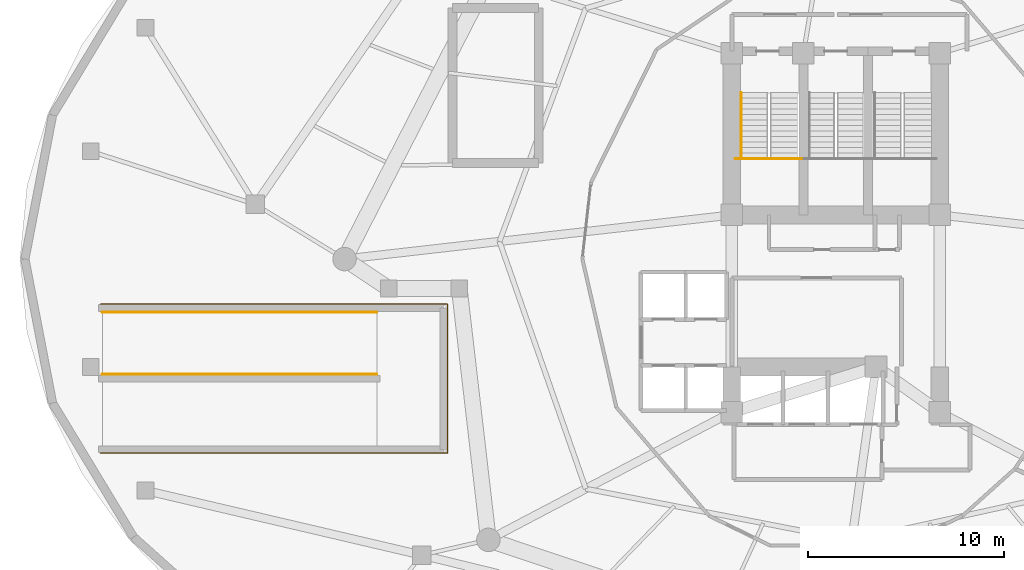
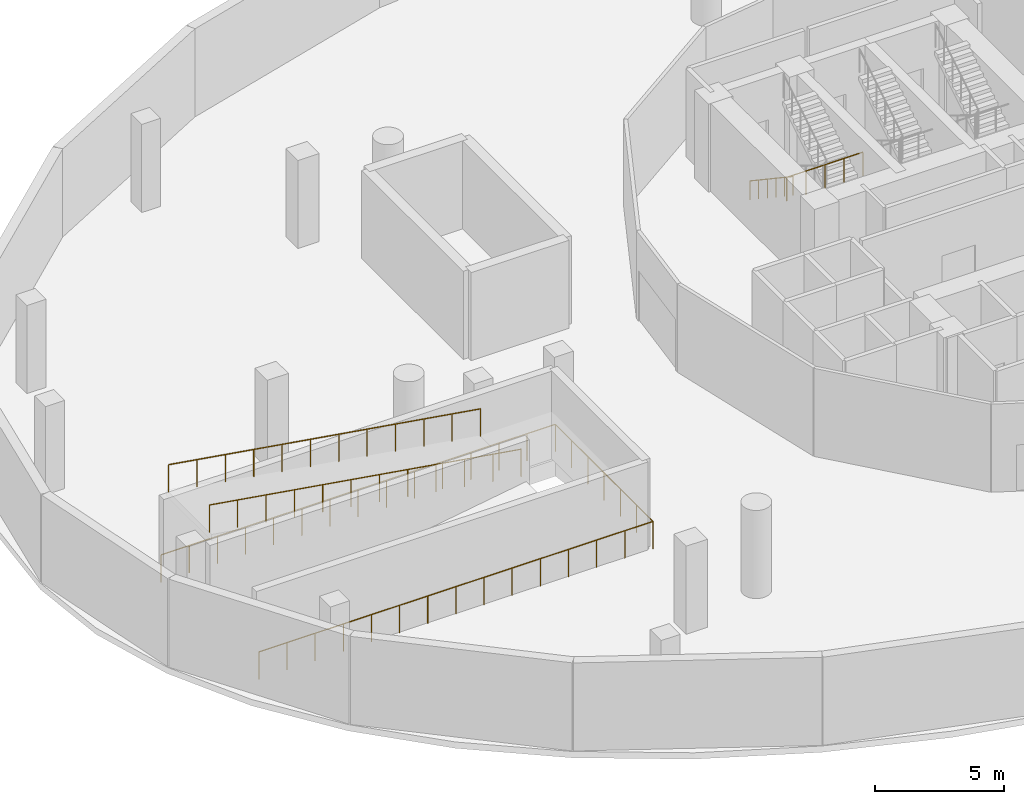
# One storey, part 7 of 8: 5 railings.
"""IFC4 building model written with IfcOpenShell, lengths in metres."""

from ifc_helpers import new_model, si_unit, direction, frame, origin, place, context, subcontext, project, spatial, polyline, outline, extrude, material, type_object, element, save


model = new_model("IFC4")

# Units and contexts
model_context = context("Model", 3, precision=1e-05, world=origin(), true_north=direction((0.0, 1.0)))
body_context = subcontext(model_context, "Body", "Model", "MODEL_VIEW")
ifc_project = project(units=[si_unit("LENGTHUNIT", "METRE"), si_unit("AREAUNIT", "SQUARE_METRE"), si_unit("VOLUMEUNIT", "CUBIC_METRE"), si_unit("PLANEANGLEUNIT", "RADIAN"), si_unit("MASSUNIT", "GRAM", prefix="KILO")], contexts=[model_context])

# Site, building, storey
site_placement = place(None, origin())
site = spatial("IfcSite", under=ifc_project, at=site_placement, CompositionType="ELEMENT")
building_placement = place(site_placement, origin())
building = spatial("IfcBuilding", under=site, at=building_placement, Name="Nuhasar Tower", CompositionType="ELEMENT")
storey_placement = place(building_placement, frame((0.0, 0.0, -4.5)))
storey = spatial("IfcBuildingStorey", under=building, at=storey_placement, Name="B1", CompositionType="ELEMENT", Elevation=-4.5)

# Railings
ifc_material_1 = material(Name="Steel S355", Category="steel")
railing_type_1 = type_object("IfcRailingType", Name="RLG-STAIR-GUARD-1150", PredefinedType="GUARDRAIL", material=ifc_material_1)
railing_1_placement = place(storey_placement, frame((33.8798828125, 31.925048828125, 2.25)))
element("IfcRailing", 1, at=railing_1_placement, inside=storey, type_object=railing_type_1, Name="B1 Stair ST-01 Guardrail LND", PredefinedType="GUARDRAIL", context=body_context, shape_type="SweptSolid", body=[
    extrude(outline(polyline([(0.024169921875, 0.0), (0.01708984375, 0.01708984375), (0.0, 0.024169921875), (-0.01708984375, 0.01708984375), (-0.024169921875, 0.0), (-0.01708984375, -0.01708984375), (0.0, -0.024169921875), (0.01708984375, -0.01708984375), (0.024169921875, 0.0)])), frame((0.0, 0.0, 1.1259765625), z_axis=(1.0, 0.0, 0.0), x_axis=(0.0, 1.0, 0.0)), (0.0, 0.0, 1.0), 3.420166015625),
    extrude(outline(polyline([(0.02099609375, 0.0), (0.014892578125, 0.014892578125), (0.0, 0.02099609375), (-0.014892578125, 0.014892578125), (-0.02099609375, 0.0), (-0.014892578125, -0.014892578125), (0.0, -0.02099609375), (0.014892578125, -0.014892578125), (0.02099609375, 0.0)])), origin(), (0.0, 0.0, 1.0), 1.101806640625),
    extrude(outline(polyline([(0.02099609375, 0.0), (0.014892578125, 0.014892578125), (0.0, 0.02099609375), (-0.014892578125, 0.014892578125), (-0.02099609375, 0.0), (-0.014892578125, -0.014892578125), (0.0, -0.02099609375), (0.014892578125, -0.014892578125), (0.02099609375, 0.0)])), frame((0.85498046875, 0.0, 0.0)), (0.0, 0.0, 1.0), 1.101806640625),
    extrude(outline(polyline([(0.02099609375, 0.0), (0.014892578125, 0.014892578125), (0.0, 0.02099609375), (-0.014892578125, 0.014892578125), (-0.02099609375, 0.0), (-0.014892578125, -0.014892578125), (0.0, -0.02099609375), (0.014892578125, -0.014892578125), (0.02099609375, 0.0)])), frame((1.7099609375, 0.0, 0.0)), (0.0, 0.0, 1.0), 1.101806640625),
    extrude(outline(polyline([(0.02099609375, 0.0), (0.014892578125, 0.014892578125), (0.0, 0.02099609375), (-0.014892578125, 0.014892578125), (-0.02099609375, 0.0), (-0.014892578125, -0.014892578125), (0.0, -0.02099609375), (0.014892578125, -0.014892578125), (0.02099609375, 0.0)])), frame((2.565185546875, 0.0, 0.0)), (0.0, 0.0, 1.0), 1.101806640625),
    extrude(outline(polyline([(0.02099609375, 0.0), (0.014892578125, 0.014892578125), (0.0, 0.02099609375), (-0.014892578125, 0.014892578125), (-0.02099609375, 0.0), (-0.014892578125, -0.014892578125), (0.0, -0.02099609375), (0.014892578125, -0.014892578125), (0.02099609375, 0.0)])), frame((3.420166015625, 0.0, 0.0)), (0.0, 0.0, 1.0), 1.101806640625),
])
ifc_material_2 = material(Name="Stainless Steel 316L", Category="steel")
railing_type_2 = type_object("IfcRailingType", Name="RLG-STAIR-HAND-920", PredefinedType="HANDRAIL", material=ifc_material_2)
railing_2_placement = place(storey_placement, frame((34.169921875, 35.284912109375, 0.173095703125)))
element("IfcRailing", 2, at=railing_2_placement, inside=storey, type_object=railing_type_2, Name="B1 Stair ST-01 Handrail HND1", PredefinedType="HANDRAIL", context=body_context, shape_type="SweptSolid", body=[
    extrude(outline(polyline([(0.024169921875, 0.0), (0.01708984375, 0.01708984375), (0.0, 0.024169921875), (-0.01708984375, 0.01708984375), (-0.024169921875, 0.0), (-0.01708984375, -0.01708984375), (0.0, -0.024169921875), (0.01708984375, -0.01708984375), (0.024169921875, 0.0)])), frame((0.0, 0.0, 0.89599609375), z_axis=(0.0, -0.830896709279, 0.556426687452), x_axis=(1.0, 0.0, 0.0)), (0.0, 0.0, 1.0), 4.043701171875),
    extrude(outline(polyline([(0.02099609375, 0.0), (0.014892578125, 0.014892578125), (0.0, 0.02099609375), (-0.014892578125, 0.014892578125), (-0.02099609375, 0.0), (-0.014892578125, -0.014892578125), (0.0, -0.02099609375), (0.014892578125, -0.014892578125), (0.02099609375, 0.0)])), origin(), (0.0, 0.0, 1.0), 0.871826171875),
    extrude(outline(polyline([(0.02099609375, 0.0), (0.014892578125, 0.014892578125), (0.0, 0.02099609375), (-0.014892578125, 0.014892578125), (-0.02099609375, 0.0), (-0.014892578125, -0.014892578125), (0.0, -0.02099609375), (0.014892578125, -0.014892578125), (0.02099609375, 0.0)])), frame((0.0, -0.671875, 0.449951171875)), (0.0, 0.0, 1.0), 0.871826171875),
    extrude(outline(polyline([(0.02099609375, 0.0), (0.014892578125, 0.014892578125), (0.0, 0.02099609375), (-0.014892578125, 0.014892578125), (-0.02099609375, 0.0), (-0.014892578125, -0.014892578125), (0.0, -0.02099609375), (0.014892578125, -0.014892578125), (0.02099609375, 0.0)])), frame((0.0, -1.343994140625, 0.89990234375)), (0.0, 0.0, 1.0), 0.871826171875),
    extrude(outline(polyline([(0.02099609375, 0.0), (0.014892578125, 0.014892578125), (0.0, 0.02099609375), (-0.014892578125, 0.014892578125), (-0.02099609375, 0.0), (-0.014892578125, -0.014892578125), (0.0, -0.02099609375), (0.014892578125, -0.014892578125), (0.02099609375, 0.0)])), frame((0.0, -2.015869140625, 1.35009765625)), (0.0, 0.0, 1.0), 0.871826171875),
    extrude(outline(polyline([(0.02099609375, 0.0), (0.014892578125, 0.014892578125), (0.0, 0.02099609375), (-0.014892578125, 0.014892578125), (-0.02099609375, 0.0), (-0.014892578125, -0.014892578125), (0.0, -0.02099609375), (0.014892578125, -0.014892578125), (0.02099609375, 0.0)])), frame((0.0, -2.68798828125, 1.800048828125)), (0.0, 0.0, 1.0), 0.871826171875),
    extrude(outline(polyline([(0.02099609375, 0.0), (0.014892578125, 0.014892578125), (0.0, 0.02099609375), (-0.014892578125, 0.014892578125), (-0.02099609375, 0.0), (-0.014892578125, -0.014892578125), (0.0, -0.02099609375), (0.014892578125, -0.014892578125), (0.02099609375, 0.0)])), frame((0.0, -3.35986328125, 2.25)), (0.0, 0.0, 1.0), 0.871826171875),
])
railing_type_3 = type_object("IfcRailingType", Name="RLG-WIND-1320", PredefinedType="GUARDRAIL", material=ifc_material_2)
railing_3_placement = place(storey_placement, frame((1.5, 16.89990234375, 0.0)))
element("IfcRailing", 3, at=railing_3_placement, inside=storey, type_object=railing_type_3, Name="B1 Ramp Well Edge Guardrail", PredefinedType="GUARDRAIL", context=body_context, shape_type="SweptSolid", body=[
    extrude(outline(polyline([(0.024169921875, 0.0), (0.01708984375, 0.01708984375), (0.0, 0.024169921875), (-0.01708984375, 0.01708984375), (-0.024169921875, 0.0), (-0.01708984375, -0.01708984375), (0.0, -0.024169921875), (0.01708984375, -0.01708984375), (0.024169921875, 0.0)])), frame((0.0, 0.0, 1.2958984375), z_axis=(1.0, 0.0, 0.0), x_axis=(0.0, 1.0, 0.0)), (0.0, 0.0, 1.0), 17.699951171875),
    extrude(outline(polyline([(0.024169921875, 0.0), (0.01708984375, 0.01708984375), (0.0, 0.024169921875), (-0.01708984375, 0.01708984375), (-0.024169921875, 0.0), (-0.01708984375, -0.01708984375), (0.0, -0.024169921875), (0.01708984375, -0.01708984375), (0.024169921875, 0.0)])), frame((17.699951171875, 0.0, 1.2958984375), z_axis=(0.0, 1.0, 0.0), x_axis=(-1.0, 0.0, 0.0)), (0.0, 0.0, 1.0), 7.60009765625),
    extrude(outline(polyline([(0.024169921875, 0.0), (0.01708984375, 0.01708984375), (0.0, 0.024169921875), (-0.01708984375, 0.01708984375), (-0.024169921875, 0.0), (-0.01708984375, -0.01708984375), (0.0, -0.024169921875), (0.01708984375, -0.01708984375), (0.024169921875, 0.0)])), frame((17.699951171875, 7.60009765625, 1.2958984375), z_axis=(-1.0, 0.0, 0.0), x_axis=(0.0, -1.0, 0.0)), (0.0, 0.0, 1.0), 17.699951171875),
    extrude(outline(polyline([(0.02099609375, 0.0), (0.014892578125, 0.014892578125), (0.0, 0.02099609375), (-0.014892578125, 0.014892578125), (-0.02099609375, 0.0), (-0.014892578125, -0.014892578125), (0.0, -0.02099609375), (0.014892578125, -0.014892578125), (0.02099609375, 0.0)])), origin(), (0.0, 0.0, 1.0), 1.27197265625),
    extrude(outline(polyline([(0.02099609375, 0.0), (0.014892578125, 0.014892578125), (0.0, 0.02099609375), (-0.014892578125, 0.014892578125), (-0.02099609375, 0.0), (-0.014892578125, -0.014892578125), (0.0, -0.02099609375), (0.014892578125, -0.014892578125), (0.02099609375, 0.0)])), frame((1.26416015625, 0.0, 0.0)), (0.0, 0.0, 1.0), 1.27197265625),
    extrude(outline(polyline([(0.02099609375, 0.0), (0.014892578125, 0.014892578125), (0.0, 0.02099609375), (-0.014892578125, 0.014892578125), (-0.02099609375, 0.0), (-0.014892578125, -0.014892578125), (0.0, -0.02099609375), (0.014892578125, -0.014892578125), (0.02099609375, 0.0)])), frame((2.528564453125, 0.0, 0.0)), (0.0, 0.0, 1.0), 1.27197265625),
    extrude(outline(polyline([(0.02099609375, 0.0), (0.014892578125, 0.014892578125), (0.0, 0.02099609375), (-0.014892578125, 0.014892578125), (-0.02099609375, 0.0), (-0.014892578125, -0.014892578125), (0.0, -0.02099609375), (0.014892578125, -0.014892578125), (0.02099609375, 0.0)])), frame((3.79296875, 0.0, 0.0)), (0.0, 0.0, 1.0), 1.27197265625),
    extrude(outline(polyline([(0.02099609375, 0.0), (0.014892578125, 0.014892578125), (0.0, 0.02099609375), (-0.014892578125, 0.014892578125), (-0.02099609375, 0.0), (-0.014892578125, -0.014892578125), (0.0, -0.02099609375), (0.014892578125, -0.014892578125), (0.02099609375, 0.0)])), frame((5.05712890625, 0.0, 0.0)), (0.0, 0.0, 1.0), 1.27197265625),
    extrude(outline(polyline([(0.02099609375, 0.0), (0.014892578125, 0.014892578125), (0.0, 0.02099609375), (-0.014892578125, 0.014892578125), (-0.02099609375, 0.0), (-0.014892578125, -0.014892578125), (0.0, -0.02099609375), (0.014892578125, -0.014892578125), (0.02099609375, 0.0)])), frame((6.3212890625, 0.0, 0.0)), (0.0, 0.0, 1.0), 1.27197265625),
    extrude(outline(polyline([(0.02099609375, 0.0), (0.014892578125, 0.014892578125), (0.0, 0.02099609375), (-0.014892578125, 0.014892578125), (-0.02099609375, 0.0), (-0.014892578125, -0.014892578125), (0.0, -0.02099609375), (0.014892578125, -0.014892578125), (0.02099609375, 0.0)])), frame((7.585693359375, 0.0, 0.0)), (0.0, 0.0, 1.0), 1.27197265625),
    extrude(outline(polyline([(0.02099609375, 0.0), (0.014892578125, 0.014892578125), (0.0, 0.02099609375), (-0.014892578125, 0.014892578125), (-0.02099609375, 0.0), (-0.014892578125, -0.014892578125), (0.0, -0.02099609375), (0.014892578125, -0.014892578125), (0.02099609375, 0.0)])), frame((8.85009765625, 0.0, 0.0)), (0.0, 0.0, 1.0), 1.27197265625),
    extrude(outline(polyline([(0.02099609375, 0.0), (0.014892578125, 0.014892578125), (0.0, 0.02099609375), (-0.014892578125, 0.014892578125), (-0.02099609375, 0.0), (-0.014892578125, -0.014892578125), (0.0, -0.02099609375), (0.014892578125, -0.014892578125), (0.02099609375, 0.0)])), frame((10.1142578125, 0.0, 0.0)), (0.0, 0.0, 1.0), 1.27197265625),
    extrude(outline(polyline([(0.02099609375, 0.0), (0.014892578125, 0.014892578125), (0.0, 0.02099609375), (-0.014892578125, 0.014892578125), (-0.02099609375, 0.0), (-0.014892578125, -0.014892578125), (0.0, -0.02099609375), (0.014892578125, -0.014892578125), (0.02099609375, 0.0)])), frame((11.37841796875, 0.0, 0.0)), (0.0, 0.0, 1.0), 1.27197265625),
    extrude(outline(polyline([(0.02099609375, 0.0), (0.014892578125, 0.014892578125), (0.0, 0.02099609375), (-0.014892578125, 0.014892578125), (-0.02099609375, 0.0), (-0.014892578125, -0.014892578125), (0.0, -0.02099609375), (0.014892578125, -0.014892578125), (0.02099609375, 0.0)])), frame((12.642822265625, 0.0, 0.0)), (0.0, 0.0, 1.0), 1.27197265625),
    extrude(outline(polyline([(0.02099609375, 0.0), (0.014892578125, 0.014892578125), (0.0, 0.02099609375), (-0.014892578125, 0.014892578125), (-0.02099609375, 0.0), (-0.014892578125, -0.014892578125), (0.0, -0.02099609375), (0.014892578125, -0.014892578125), (0.02099609375, 0.0)])), frame((13.9072265625, 0.0, 0.0)), (0.0, 0.0, 1.0), 1.27197265625),
    extrude(outline(polyline([(0.02099609375, 0.0), (0.014892578125, 0.014892578125), (0.0, 0.02099609375), (-0.014892578125, 0.014892578125), (-0.02099609375, 0.0), (-0.014892578125, -0.014892578125), (0.0, -0.02099609375), (0.014892578125, -0.014892578125), (0.02099609375, 0.0)])), frame((15.17138671875, 0.0, 0.0)), (0.0, 0.0, 1.0), 1.27197265625),
    extrude(outline(polyline([(0.02099609375, 0.0), (0.014892578125, 0.014892578125), (0.0, 0.02099609375), (-0.014892578125, 0.014892578125), (-0.02099609375, 0.0), (-0.014892578125, -0.014892578125), (0.0, -0.02099609375), (0.014892578125, -0.014892578125), (0.02099609375, 0.0)])), frame((16.435546875, 0.0, 0.0)), (0.0, 0.0, 1.0), 1.27197265625),
    extrude(outline(polyline([(0.02099609375, 0.0), (0.014892578125, 0.014892578125), (0.0, 0.02099609375), (-0.014892578125, 0.014892578125), (-0.02099609375, 0.0), (-0.014892578125, -0.014892578125), (0.0, -0.02099609375), (0.014892578125, -0.014892578125), (0.02099609375, 0.0)])), frame((17.699951171875, 0.0, 0.0)), (0.0, 0.0, 1.0), 1.27197265625),
    extrude(outline(polyline([(0.02099609375, 0.0), (0.014892578125, 0.014892578125), (0.0, 0.02099609375), (-0.014892578125, 0.014892578125), (-0.02099609375, 0.0), (-0.014892578125, -0.014892578125), (0.0, -0.02099609375), (0.014892578125, -0.014892578125), (0.02099609375, 0.0)])), frame((17.699951171875, 1.2666015625, 0.0)), (0.0, 0.0, 1.0), 1.27197265625),
    extrude(outline(polyline([(0.02099609375, 0.0), (0.014892578125, 0.014892578125), (0.0, 0.02099609375), (-0.014892578125, 0.014892578125), (-0.02099609375, 0.0), (-0.014892578125, -0.014892578125), (0.0, -0.02099609375), (0.014892578125, -0.014892578125), (0.02099609375, 0.0)])), frame((17.699951171875, 2.533447265625, 0.0)), (0.0, 0.0, 1.0), 1.27197265625),
    extrude(outline(polyline([(0.02099609375, 0.0), (0.014892578125, 0.014892578125), (0.0, 0.02099609375), (-0.014892578125, 0.014892578125), (-0.02099609375, 0.0), (-0.014892578125, -0.014892578125), (0.0, -0.02099609375), (0.014892578125, -0.014892578125), (0.02099609375, 0.0)])), frame((17.699951171875, 3.800048828125, 0.0)), (0.0, 0.0, 1.0), 1.27197265625),
    extrude(outline(polyline([(0.02099609375, 0.0), (0.014892578125, 0.014892578125), (0.0, 0.02099609375), (-0.014892578125, 0.014892578125), (-0.02099609375, 0.0), (-0.014892578125, -0.014892578125), (0.0, -0.02099609375), (0.014892578125, -0.014892578125), (0.02099609375, 0.0)])), frame((17.699951171875, 5.066650390625, 0.0)), (0.0, 0.0, 1.0), 1.27197265625),
    extrude(outline(polyline([(0.02099609375, 0.0), (0.014892578125, 0.014892578125), (0.0, 0.02099609375), (-0.014892578125, 0.014892578125), (-0.02099609375, 0.0), (-0.014892578125, -0.014892578125), (0.0, -0.02099609375), (0.014892578125, -0.014892578125), (0.02099609375, 0.0)])), frame((17.699951171875, 6.33349609375, 0.0)), (0.0, 0.0, 1.0), 1.27197265625),
    extrude(outline(polyline([(0.02099609375, 0.0), (0.014892578125, 0.014892578125), (0.0, 0.02099609375), (-0.014892578125, 0.014892578125), (-0.02099609375, 0.0), (-0.014892578125, -0.014892578125), (0.0, -0.02099609375), (0.014892578125, -0.014892578125), (0.02099609375, 0.0)])), frame((17.699951171875, 7.60009765625, 0.0)), (0.0, 0.0, 1.0), 1.27197265625),
    extrude(outline(polyline([(0.02099609375, 0.0), (0.014892578125, 0.014892578125), (0.0, 0.02099609375), (-0.014892578125, 0.014892578125), (-0.02099609375, 0.0), (-0.014892578125, -0.014892578125), (0.0, -0.02099609375), (0.014892578125, -0.014892578125), (0.02099609375, 0.0)])), frame((16.435546875, 7.60009765625, 0.0)), (0.0, 0.0, 1.0), 1.27197265625),
    extrude(outline(polyline([(0.02099609375, 0.0), (0.014892578125, 0.014892578125), (0.0, 0.02099609375), (-0.014892578125, 0.014892578125), (-0.02099609375, 0.0), (-0.014892578125, -0.014892578125), (0.0, -0.02099609375), (0.014892578125, -0.014892578125), (0.02099609375, 0.0)])), frame((15.17138671875, 7.60009765625, 0.0)), (0.0, 0.0, 1.0), 1.27197265625),
    extrude(outline(polyline([(0.02099609375, 0.0), (0.014892578125, 0.014892578125), (0.0, 0.02099609375), (-0.014892578125, 0.014892578125), (-0.02099609375, 0.0), (-0.014892578125, -0.014892578125), (0.0, -0.02099609375), (0.014892578125, -0.014892578125), (0.02099609375, 0.0)])), frame((13.9072265625, 7.60009765625, 0.0)), (0.0, 0.0, 1.0), 1.27197265625),
    extrude(outline(polyline([(0.02099609375, 0.0), (0.014892578125, 0.014892578125), (0.0, 0.02099609375), (-0.014892578125, 0.014892578125), (-0.02099609375, 0.0), (-0.014892578125, -0.014892578125), (0.0, -0.02099609375), (0.014892578125, -0.014892578125), (0.02099609375, 0.0)])), frame((12.642822265625, 7.60009765625, 0.0)), (0.0, 0.0, 1.0), 1.27197265625),
    extrude(outline(polyline([(0.02099609375, 0.0), (0.014892578125, 0.014892578125), (0.0, 0.02099609375), (-0.014892578125, 0.014892578125), (-0.02099609375, 0.0), (-0.014892578125, -0.014892578125), (0.0, -0.02099609375), (0.014892578125, -0.014892578125), (0.02099609375, 0.0)])), frame((11.37841796875, 7.60009765625, 0.0)), (0.0, 0.0, 1.0), 1.27197265625),
    extrude(outline(polyline([(0.02099609375, 0.0), (0.014892578125, 0.014892578125), (0.0, 0.02099609375), (-0.014892578125, 0.014892578125), (-0.02099609375, 0.0), (-0.014892578125, -0.014892578125), (0.0, -0.02099609375), (0.014892578125, -0.014892578125), (0.02099609375, 0.0)])), frame((10.1142578125, 7.60009765625, 0.0)), (0.0, 0.0, 1.0), 1.27197265625),
    extrude(outline(polyline([(0.02099609375, 0.0), (0.014892578125, 0.014892578125), (0.0, 0.02099609375), (-0.014892578125, 0.014892578125), (-0.02099609375, 0.0), (-0.014892578125, -0.014892578125), (0.0, -0.02099609375), (0.014892578125, -0.014892578125), (0.02099609375, 0.0)])), frame((8.85009765625, 7.60009765625, 0.0)), (0.0, 0.0, 1.0), 1.27197265625),
    extrude(outline(polyline([(0.02099609375, 0.0), (0.014892578125, 0.014892578125), (0.0, 0.02099609375), (-0.014892578125, 0.014892578125), (-0.02099609375, 0.0), (-0.014892578125, -0.014892578125), (0.0, -0.02099609375), (0.014892578125, -0.014892578125), (0.02099609375, 0.0)])), frame((7.585693359375, 7.60009765625, 0.0)), (0.0, 0.0, 1.0), 1.27197265625),
    extrude(outline(polyline([(0.02099609375, 0.0), (0.014892578125, 0.014892578125), (0.0, 0.02099609375), (-0.014892578125, 0.014892578125), (-0.02099609375, 0.0), (-0.014892578125, -0.014892578125), (0.0, -0.02099609375), (0.014892578125, -0.014892578125), (0.02099609375, 0.0)])), frame((6.3212890625, 7.60009765625, 0.0)), (0.0, 0.0, 1.0), 1.27197265625),
    extrude(outline(polyline([(0.02099609375, 0.0), (0.014892578125, 0.014892578125), (0.0, 0.02099609375), (-0.014892578125, 0.014892578125), (-0.02099609375, 0.0), (-0.014892578125, -0.014892578125), (0.0, -0.02099609375), (0.014892578125, -0.014892578125), (0.02099609375, 0.0)])), frame((5.05712890625, 7.60009765625, 0.0)), (0.0, 0.0, 1.0), 1.27197265625),
    extrude(outline(polyline([(0.02099609375, 0.0), (0.014892578125, 0.014892578125), (0.0, 0.02099609375), (-0.014892578125, 0.014892578125), (-0.02099609375, 0.0), (-0.014892578125, -0.014892578125), (0.0, -0.02099609375), (0.014892578125, -0.014892578125), (0.02099609375, 0.0)])), frame((3.79296875, 7.60009765625, 0.0)), (0.0, 0.0, 1.0), 1.27197265625),
    extrude(outline(polyline([(0.02099609375, 0.0), (0.014892578125, 0.014892578125), (0.0, 0.02099609375), (-0.014892578125, 0.014892578125), (-0.02099609375, 0.0), (-0.014892578125, -0.014892578125), (0.0, -0.02099609375), (0.014892578125, -0.014892578125), (0.02099609375, 0.0)])), frame((2.528564453125, 7.60009765625, 0.0)), (0.0, 0.0, 1.0), 1.27197265625),
    extrude(outline(polyline([(0.02099609375, 0.0), (0.014892578125, 0.014892578125), (0.0, 0.02099609375), (-0.014892578125, 0.014892578125), (-0.02099609375, 0.0), (-0.014892578125, -0.014892578125), (0.0, -0.02099609375), (0.014892578125, -0.014892578125), (0.02099609375, 0.0)])), frame((1.26416015625, 7.60009765625, 0.0)), (0.0, 0.0, 1.0), 1.27197265625),
    extrude(outline(polyline([(0.02099609375, 0.0), (0.014892578125, 0.014892578125), (0.0, 0.02099609375), (-0.014892578125, 0.014892578125), (-0.02099609375, 0.0), (-0.014892578125, -0.014892578125), (0.0, -0.02099609375), (0.014892578125, -0.014892578125), (0.02099609375, 0.0)])), frame((0.0, 7.60009765625, 0.0)), (0.0, 0.0, 1.0), 1.27197265625),
])
railing_4_placement = place(storey_placement, frame((15.60009765625, 20.919921875, 2.25)))
element("IfcRailing", 4, at=railing_4_placement, inside=storey, type_object=railing_type_3, Name="B1 Vehicular Ramp Upper Flight MED Guardrail", PredefinedType="GUARDRAIL", context=body_context, shape_type="SweptSolid", body=[
    extrude(outline(polyline([(0.024169921875, 0.0), (0.01708984375, 0.01708984375), (0.0, 0.024169921875), (-0.01708984375, 0.01708984375), (-0.024169921875, 0.0), (-0.01708984375, -0.01708984375), (0.0, -0.024169921875), (0.01708984375, -0.01708984375), (0.024169921875, 0.0)])), frame((0.0, 0.0, 1.2958984375), z_axis=(-0.987330371277, 0.0, 0.158678095384), x_axis=(0.0, -1.0, 0.0)), (0.0, 0.0, 1.0), 14.1796875),
    extrude(outline(polyline([(0.02099609375, 0.0), (0.014892578125, 0.014892578125), (0.0, 0.02099609375), (-0.014892578125, 0.014892578125), (-0.02099609375, 0.0), (-0.014892578125, -0.014892578125), (0.0, -0.02099609375), (0.014892578125, -0.014892578125), (0.02099609375, 0.0)])), origin(), (0.0, 0.0, 1.0), 1.27197265625),
    extrude(outline(polyline([(0.02099609375, 0.0), (0.014892578125, 0.014892578125), (0.0, 0.02099609375), (-0.014892578125, 0.014892578125), (-0.02099609375, 0.0), (-0.014892578125, -0.014892578125), (0.0, -0.02099609375), (0.014892578125, -0.014892578125), (0.02099609375, 0.0)])), frame((-1.272705078125, 0.0, 0.20458984375)), (0.0, 0.0, 1.0), 1.27197265625),
    extrude(outline(polyline([(0.02099609375, 0.0), (0.014892578125, 0.014892578125), (0.0, 0.02099609375), (-0.014892578125, 0.014892578125), (-0.02099609375, 0.0), (-0.014892578125, -0.014892578125), (0.0, -0.02099609375), (0.014892578125, -0.014892578125), (0.02099609375, 0.0)])), frame((-2.54541015625, 0.0, 0.4091796875)), (0.0, 0.0, 1.0), 1.27197265625),
    extrude(outline(polyline([(0.02099609375, 0.0), (0.014892578125, 0.014892578125), (0.0, 0.02099609375), (-0.014892578125, 0.014892578125), (-0.02099609375, 0.0), (-0.014892578125, -0.014892578125), (0.0, -0.02099609375), (0.014892578125, -0.014892578125), (0.02099609375, 0.0)])), frame((-3.818115234375, 0.0, 0.613525390625)), (0.0, 0.0, 1.0), 1.27197265625),
    extrude(outline(polyline([(0.02099609375, 0.0), (0.014892578125, 0.014892578125), (0.0, 0.02099609375), (-0.014892578125, 0.014892578125), (-0.02099609375, 0.0), (-0.014892578125, -0.014892578125), (0.0, -0.02099609375), (0.014892578125, -0.014892578125), (0.02099609375, 0.0)])), frame((-5.0908203125, 0.0, 0.818115234375)), (0.0, 0.0, 1.0), 1.27197265625),
    extrude(outline(polyline([(0.02099609375, 0.0), (0.014892578125, 0.014892578125), (0.0, 0.02099609375), (-0.014892578125, 0.014892578125), (-0.02099609375, 0.0), (-0.014892578125, -0.014892578125), (0.0, -0.02099609375), (0.014892578125, -0.014892578125), (0.02099609375, 0.0)])), frame((-6.363525390625, 0.0, 1.022705078125)), (0.0, 0.0, 1.0), 1.27197265625),
    extrude(outline(polyline([(0.02099609375, 0.0), (0.014892578125, 0.014892578125), (0.0, 0.02099609375), (-0.014892578125, 0.014892578125), (-0.02099609375, 0.0), (-0.014892578125, -0.014892578125), (0.0, -0.02099609375), (0.014892578125, -0.014892578125), (0.02099609375, 0.0)])), frame((-7.636474609375, 0.0, 1.227294921875)), (0.0, 0.0, 1.0), 1.27197265625),
    extrude(outline(polyline([(0.02099609375, 0.0), (0.014892578125, 0.014892578125), (0.0, 0.02099609375), (-0.014892578125, 0.014892578125), (-0.02099609375, 0.0), (-0.014892578125, -0.014892578125), (0.0, -0.02099609375), (0.014892578125, -0.014892578125), (0.02099609375, 0.0)])), frame((-8.9091796875, 0.0, 1.431884765625)), (0.0, 0.0, 1.0), 1.27197265625),
    extrude(outline(polyline([(0.02099609375, 0.0), (0.014892578125, 0.014892578125), (0.0, 0.02099609375), (-0.014892578125, 0.014892578125), (-0.02099609375, 0.0), (-0.014892578125, -0.014892578125), (0.0, -0.02099609375), (0.014892578125, -0.014892578125), (0.02099609375, 0.0)])), frame((-10.181884765625, 0.0, 1.636474609375)), (0.0, 0.0, 1.0), 1.27197265625),
    extrude(outline(polyline([(0.02099609375, 0.0), (0.014892578125, 0.014892578125), (0.0, 0.02099609375), (-0.014892578125, 0.014892578125), (-0.02099609375, 0.0), (-0.014892578125, -0.014892578125), (0.0, -0.02099609375), (0.014892578125, -0.014892578125), (0.02099609375, 0.0)])), frame((-11.45458984375, 0.0, 1.8408203125)), (0.0, 0.0, 1.0), 1.27197265625),
    extrude(outline(polyline([(0.02099609375, 0.0), (0.014892578125, 0.014892578125), (0.0, 0.02099609375), (-0.014892578125, 0.014892578125), (-0.02099609375, 0.0), (-0.014892578125, -0.014892578125), (0.0, -0.02099609375), (0.014892578125, -0.014892578125), (0.02099609375, 0.0)])), frame((-12.727294921875, 0.0, 2.04541015625)), (0.0, 0.0, 1.0), 1.27197265625),
    extrude(outline(polyline([(0.02099609375, 0.0), (0.014892578125, 0.014892578125), (0.0, 0.02099609375), (-0.014892578125, 0.014892578125), (-0.02099609375, 0.0), (-0.014892578125, -0.014892578125), (0.0, -0.02099609375), (0.014892578125, -0.014892578125), (0.02099609375, 0.0)])), frame((-14.0, 0.0, 2.25)), (0.0, 0.0, 1.0), 1.27197265625),
])
railing_5_placement = place(storey_placement, frame((15.60009765625, 24.080078125, 2.25)))
element("IfcRailing", 5, at=railing_5_placement, inside=storey, type_object=railing_type_3, Name="B1 Vehicular Ramp Upper Flight NTH Guardrail", PredefinedType="GUARDRAIL", context=body_context, shape_type="SweptSolid", body=[
    extrude(outline(polyline([(0.024169921875, 0.0), (0.01708984375, 0.01708984375), (0.0, 0.024169921875), (-0.01708984375, 0.01708984375), (-0.024169921875, 0.0), (-0.01708984375, -0.01708984375), (0.0, -0.024169921875), (0.01708984375, -0.01708984375), (0.024169921875, 0.0)])), frame((0.0, 0.0, 1.2958984375), z_axis=(-0.987330371277, 0.0, 0.158678095384), x_axis=(0.0, -1.0, 0.0)), (0.0, 0.0, 1.0), 14.1796875),
    extrude(outline(polyline([(0.02099609375, 0.0), (0.014892578125, 0.014892578125), (0.0, 0.02099609375), (-0.014892578125, 0.014892578125), (-0.02099609375, 0.0), (-0.014892578125, -0.014892578125), (0.0, -0.02099609375), (0.014892578125, -0.014892578125), (0.02099609375, 0.0)])), origin(), (0.0, 0.0, 1.0), 1.27197265625),
    extrude(outline(polyline([(0.02099609375, 0.0), (0.014892578125, 0.014892578125), (0.0, 0.02099609375), (-0.014892578125, 0.014892578125), (-0.02099609375, 0.0), (-0.014892578125, -0.014892578125), (0.0, -0.02099609375), (0.014892578125, -0.014892578125), (0.02099609375, 0.0)])), frame((-1.272705078125, 0.0, 0.20458984375)), (0.0, 0.0, 1.0), 1.27197265625),
    extrude(outline(polyline([(0.02099609375, 0.0), (0.014892578125, 0.014892578125), (0.0, 0.02099609375), (-0.014892578125, 0.014892578125), (-0.02099609375, 0.0), (-0.014892578125, -0.014892578125), (0.0, -0.02099609375), (0.014892578125, -0.014892578125), (0.02099609375, 0.0)])), frame((-2.54541015625, 0.0, 0.4091796875)), (0.0, 0.0, 1.0), 1.27197265625),
    extrude(outline(polyline([(0.02099609375, 0.0), (0.014892578125, 0.014892578125), (0.0, 0.02099609375), (-0.014892578125, 0.014892578125), (-0.02099609375, 0.0), (-0.014892578125, -0.014892578125), (0.0, -0.02099609375), (0.014892578125, -0.014892578125), (0.02099609375, 0.0)])), frame((-3.818115234375, 0.0, 0.613525390625)), (0.0, 0.0, 1.0), 1.27197265625),
    extrude(outline(polyline([(0.02099609375, 0.0), (0.014892578125, 0.014892578125), (0.0, 0.02099609375), (-0.014892578125, 0.014892578125), (-0.02099609375, 0.0), (-0.014892578125, -0.014892578125), (0.0, -0.02099609375), (0.014892578125, -0.014892578125), (0.02099609375, 0.0)])), frame((-5.0908203125, 0.0, 0.818115234375)), (0.0, 0.0, 1.0), 1.27197265625),
    extrude(outline(polyline([(0.02099609375, 0.0), (0.014892578125, 0.014892578125), (0.0, 0.02099609375), (-0.014892578125, 0.014892578125), (-0.02099609375, 0.0), (-0.014892578125, -0.014892578125), (0.0, -0.02099609375), (0.014892578125, -0.014892578125), (0.02099609375, 0.0)])), frame((-6.363525390625, 0.0, 1.022705078125)), (0.0, 0.0, 1.0), 1.27197265625),
    extrude(outline(polyline([(0.02099609375, 0.0), (0.014892578125, 0.014892578125), (0.0, 0.02099609375), (-0.014892578125, 0.014892578125), (-0.02099609375, 0.0), (-0.014892578125, -0.014892578125), (0.0, -0.02099609375), (0.014892578125, -0.014892578125), (0.02099609375, 0.0)])), frame((-7.636474609375, 0.0, 1.227294921875)), (0.0, 0.0, 1.0), 1.27197265625),
    extrude(outline(polyline([(0.02099609375, 0.0), (0.014892578125, 0.014892578125), (0.0, 0.02099609375), (-0.014892578125, 0.014892578125), (-0.02099609375, 0.0), (-0.014892578125, -0.014892578125), (0.0, -0.02099609375), (0.014892578125, -0.014892578125), (0.02099609375, 0.0)])), frame((-8.9091796875, 0.0, 1.431884765625)), (0.0, 0.0, 1.0), 1.27197265625),
    extrude(outline(polyline([(0.02099609375, 0.0), (0.014892578125, 0.014892578125), (0.0, 0.02099609375), (-0.014892578125, 0.014892578125), (-0.02099609375, 0.0), (-0.014892578125, -0.014892578125), (0.0, -0.02099609375), (0.014892578125, -0.014892578125), (0.02099609375, 0.0)])), frame((-10.181884765625, 0.0, 1.636474609375)), (0.0, 0.0, 1.0), 1.27197265625),
    extrude(outline(polyline([(0.02099609375, 0.0), (0.014892578125, 0.014892578125), (0.0, 0.02099609375), (-0.014892578125, 0.014892578125), (-0.02099609375, 0.0), (-0.014892578125, -0.014892578125), (0.0, -0.02099609375), (0.014892578125, -0.014892578125), (0.02099609375, 0.0)])), frame((-11.45458984375, 0.0, 1.8408203125)), (0.0, 0.0, 1.0), 1.27197265625),
    extrude(outline(polyline([(0.02099609375, 0.0), (0.014892578125, 0.014892578125), (0.0, 0.02099609375), (-0.014892578125, 0.014892578125), (-0.02099609375, 0.0), (-0.014892578125, -0.014892578125), (0.0, -0.02099609375), (0.014892578125, -0.014892578125), (0.02099609375, 0.0)])), frame((-12.727294921875, 0.0, 2.04541015625)), (0.0, 0.0, 1.0), 1.27197265625),
    extrude(outline(polyline([(0.02099609375, 0.0), (0.014892578125, 0.014892578125), (0.0, 0.02099609375), (-0.014892578125, 0.014892578125), (-0.02099609375, 0.0), (-0.014892578125, -0.014892578125), (0.0, -0.02099609375), (0.014892578125, -0.014892578125), (0.02099609375, 0.0)])), frame((-14.0, 0.0, 2.25)), (0.0, 0.0, 1.0), 1.27197265625),
])

save(model, "model.ifc")
